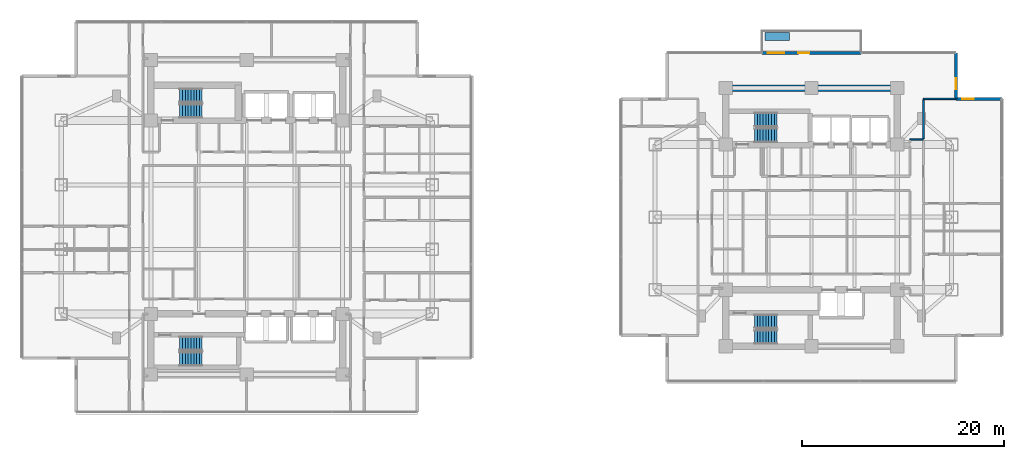
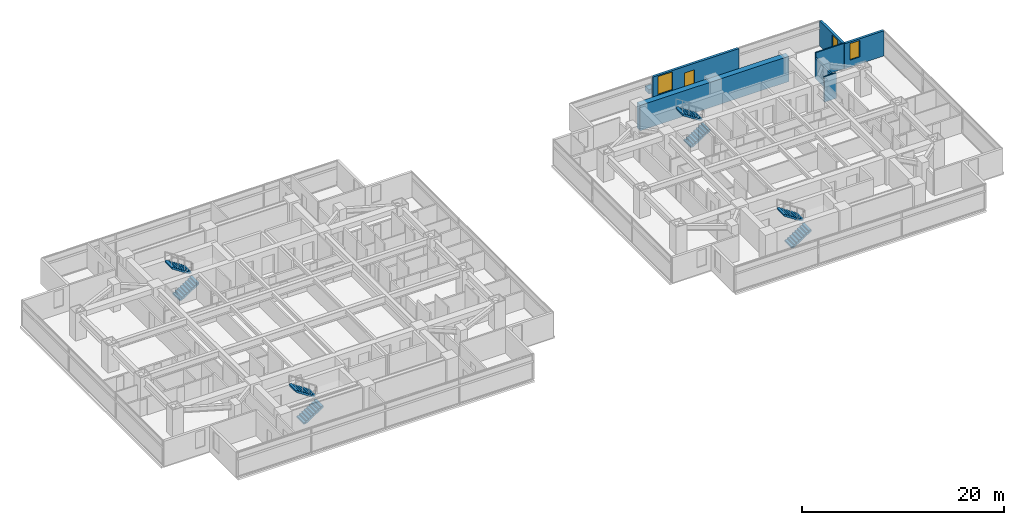
# One storey, part 19 of 24: 8 stair flights, 7 walls, 3 windows, 1 discrete accessory, 1 door, 4 openings, 4 elements without a shape of their own.
"""IFC4 building model written with IfcOpenShell, lengths in metres."""

from ifc_helpers import new_model, si_unit, direction, frame, frame_2d, origin, origin_2d, place, context, subcontext, project, spatial, polyline, rectangle, outline, extrude, material, layer, layer_set, type_object, element, fill, aggregate, save


model = new_model("IFC4")

# Units and contexts
model_context = context("Model", 3, precision=1e-05, world=origin(), true_north=direction((0.0, 1.0)))
body_context = subcontext(model_context, "Body", "Model", "MODEL_VIEW")
ifc_project = project(units=[si_unit("LENGTHUNIT", "METRE"), si_unit("AREAUNIT", "SQUARE_METRE"), si_unit("VOLUMEUNIT", "CUBIC_METRE"), si_unit("PLANEANGLEUNIT", "RADIAN"), si_unit("MASSUNIT", "GRAM", prefix="KILO")], contexts=[model_context])

# Site, building, storey
site_placement = place(None, origin())
site = spatial("IfcSite", under=ifc_project, at=site_placement, CompositionType="ELEMENT")
building_placement = place(site_placement, origin())
building = spatial("IfcBuilding", under=site, at=building_placement, Name="Mirazonda Arch Towers", CompositionType="ELEMENT")
storey_placement = place(building_placement, frame((0.0, 0.0, 71.89990234375)))
storey = spatial("IfcBuildingStorey", under=building, at=storey_placement, Name="L20", CompositionType="ELEMENT", Elevation=71.89990234375)

# Wall
ifc_material_1 = material(Name="Concrete C60/75", Category="concrete")
ifc_layer_1 = layer(ifc_material_1, 0.64990234375, Name="WALL-CORE-650")
ifc_layer_set_1 = layer_set([ifc_layer_1], Name="Concrete C60/75")
wall_type_1 = type_object("IfcWallType", Name="WALL-CORE-650", PredefinedType="SHEAR", material=ifc_layer_set_1)
wall_1_placement = place(storey_placement, frame((68.0, 40.800048828125, 0.0), z_axis=(0.0, 0.0, 1.0), x_axis=(1.0, 0.0, 0.0)))
element("IfcWall", 1, at=wall_1_placement, inside=storey, type_object=wall_type_1, Name="L20 T2N-N Core Shear Wall", PredefinedType="SHEAR", context=body_context, shape_type="SweptSolid", body=[
    extrude(rectangle(XDim=17.0, YDim=0.64990234375, at=frame_2d((8.5, 0.0))), origin(), (0.0, 0.0, 1.0), 3.06005859375),
])

# Wall, openings, door, window
ifc_material_2 = material(Name="Precast Concrete C40/50", Category="concrete")
ifc_layer_2 = layer(ifc_material_2, 0.280029296875, Name="WALL-EXT-WALL-280")
ifc_layer_set_2 = layer_set([ifc_layer_2], Name="Precast Concrete C40/50")
wall_type_2 = type_object("IfcWallType", Name="WALL-EXT-WALL-280", PredefinedType="SOLIDWALL", material=ifc_layer_set_2)
wall_2_placement = place(storey_placement, frame((71.60009765625, 44.27587890625, 0.0), z_axis=(0.0, 0.0, 1.0), x_axis=(1.0, 0.0, 0.0)))
wall_2 = element("IfcWall", 2, at=wall_2_placement, inside=storey, type_object=wall_type_2, Name="L20 T2 Sky-Terrace Threshold Wall WL-TERR-L20-T2", PredefinedType="SOLIDWALL", context=body_context, shape_type="SweptSolid", body=[
    extrude(rectangle(XDim=9.7998046875, YDim=0.280029296875, at=frame_2d((4.89990234375, 0.0))), origin(), (0.0, 0.0, 1.0), 3.02001953125),
])
opening_1_placement = place(wall_2_placement, frame((0.550048828125, 0.0, 0.669921875)))
opening_1 = element("IfcOpeningElement", 3, at=opening_1_placement, cuts=wall_2, Name="Opening WN-115", PredefinedType="OPENING", context=body_context, shape_type="SweptSolid", body=[
    extrude(rectangle(XDim=1.64990234375, YDim=2.199951171875, at=frame_2d((0.824951171875, 1.10009765625))), frame((0.0, 0.14990234375, 0.0), z_axis=(0.0, -1.0, 0.0), x_axis=(1.0, 0.0, 0.0)), (0.0, 0.0, 1.0), 0.300048828125),
])
opening_2_placement = place(wall_2_placement, frame((3.60009765625, 0.0, 0.0)))
opening_2 = element("IfcOpeningElement", 4, at=opening_2_placement, cuts=wall_2, Name="Opening DR-114", PredefinedType="OPENING", context=body_context, shape_type="SweptSolid", body=[
    extrude(rectangle(XDim=1.10009765625, YDim=2.25, at=frame_2d((0.550048828125, 1.125))), frame((0.0, 0.14990234375, 0.0), z_axis=(0.0, -1.0, 0.0), x_axis=(1.0, 0.0, 0.0)), (0.0, 0.0, 1.0), 0.300048828125),
])
ifc_material_3 = material(Name="Architectural Hardwood Timber", Category="wood")
door_type = type_object("IfcDoorType", Name="DOOR-TERR-EXT-1100", OperationType="NOTDEFINED", PredefinedType="DOOR", material=ifc_material_3)
door_placement = place(opening_2_placement, origin())
door = element("IfcDoor", 5, at=door_placement, inside=storey, type_object=door_type, Name="L20 Exterior Door DR-TERR-L20-T2", OperationType="SINGLE_SWING_LEFT", OverallHeight=2.25, OverallWidth=1.10009765625, PredefinedType="DOOR", context=body_context, shape_type="SweptSolid", body=[
    extrude(rectangle(XDim=1.10009765625, YDim=2.25, at=frame_2d((0.550048828125, 1.125))), frame((0.0, 0.02490234375, 0.0), z_axis=(0.0, -1.0, 0.0), x_axis=(1.0, 0.0, 0.0)), (0.0, 0.0, 1.0), 0.050048828125),
])
fill(opening_2, door)
ifc_material_4 = material(Name="Insulated Low-E Solar Glass", Category="glass")
window_type_1 = type_object("IfcWindowType", Name="WIN-RES-1650x2200", PartitioningType="SINGLE_PANEL", PredefinedType="WINDOW", material=ifc_material_4)
window_1_placement = place(opening_1_placement, origin())
window_1 = element("IfcWindow", 6, at=window_1_placement, inside=storey, type_object=window_type_1, Name="L20 Punched Facade Window WN-TERR-L20-T2", OverallHeight=2.199951171875, OverallWidth=1.64990234375, PartitioningType="SINGLE_PANEL", PredefinedType="WINDOW", context=body_context, shape_type="SweptSolid", body=[
    extrude(rectangle(XDim=1.64990234375, YDim=2.199951171875, at=frame_2d((0.824951171875, 1.10009765625))), frame((0.0, 0.030029296875, 0.0), z_axis=(0.0, -1.0, 0.0), x_axis=(1.0, 0.0, 0.0)), (0.0, 0.0, 1.0), 0.06005859375),
])
fill(opening_1, window_1)

# Wall, opening, window
wall_3_placement = place(storey_placement, frame((90.822021484375, 39.729736328125, 0.0), z_axis=(0.0, 0.0, 1.0), x_axis=(0.0, 1.0, 0.0)))
wall_3 = element("IfcWall", 7, at=wall_3_placement, inside=storey, type_object=wall_type_2, Name="L20 T2 Notched NE Corner Wall WL-L20-T2-CNE", PredefinedType="SOLIDWALL", context=body_context, shape_type="SweptSolid", body=[
    extrude(rectangle(XDim=4.546142578125, YDim=0.280029296875, at=frame_2d((2.27294921875, 0.0))), origin(), (0.0, 0.0, 1.0), 3.0400390625),
])
opening_3_placement = place(wall_3_placement, frame((0.949951171875, 0.0, 0.85009765625)))
opening_3 = element("IfcOpeningElement", 8, at=opening_3_placement, cuts=wall_3, Name="Opening WN-108", PredefinedType="OPENING", context=body_context, shape_type="SweptSolid", body=[
    extrude(rectangle(XDim=1.10009765625, YDim=2.0, at=frame_2d((0.550048828125, 1.0))), frame((0.0, 0.14990234375, 0.0), z_axis=(0.0, -1.0, 0.0), x_axis=(1.0, 0.0, 0.0)), (0.0, 0.0, 1.0), 0.300048828125),
])
window_type_2 = type_object("IfcWindowType", Name="WIN-NOTCH-1100x2000", PartitioningType="SINGLE_PANEL", PredefinedType="WINDOW", material=ifc_material_4)
window_2_placement = place(opening_3_placement, origin())
window_2 = element("IfcWindow", 9, at=window_2_placement, inside=storey, type_object=window_type_2, Name="L20 Punched Facade Window WN-L20-T2-CNE", OverallHeight=2.0, OverallWidth=1.10009765625, PartitioningType="SINGLE_PANEL", PredefinedType="WINDOW", context=body_context, shape_type="SweptSolid", body=[
    extrude(rectangle(XDim=1.10009765625, YDim=2.0, at=frame_2d((0.550048828125, 1.0))), frame((0.0, 0.030029296875, 0.0), z_axis=(0.0, -1.0, 0.0), x_axis=(1.0, 0.0, 0.0)), (0.0, 0.0, 1.0), 0.06005859375),
])
fill(opening_3, window_2)

wall_4_placement = place(storey_placement, frame((95.367919921875, 39.729736328125, 0.0), z_axis=(0.0, 0.0, 1.0), x_axis=(-1.0, 0.0, 0.0)))
wall_4 = element("IfcWall", 10, at=wall_4_placement, inside=storey, type_object=wall_type_2, Name="L20 T2 Corner Notch Return Wall WL-L20-T2-CNE2", PredefinedType="SOLIDWALL", context=body_context, shape_type="SweptSolid", body=[
    extrude(rectangle(XDim=4.5458984375, YDim=0.280029296875, at=frame_2d((2.27294921875, 0.0))), origin(), (0.0, 0.0, 1.0), 3.0400390625),
])
opening_4_placement = place(wall_4_placement, frame((2.7958984375, 0.0, 0.85009765625)))
opening_4 = element("IfcOpeningElement", 11, at=opening_4_placement, cuts=wall_4, Name="Opening WN-108", PredefinedType="OPENING", context=body_context, shape_type="SweptSolid", body=[
    extrude(rectangle(XDim=1.10009765625, YDim=2.0, at=frame_2d((0.550048828125, 1.0))), frame((0.0, 0.14990234375, 0.0), z_axis=(0.0, -1.0, 0.0), x_axis=(1.0, 0.0, 0.0)), (0.0, 0.0, 1.0), 0.300048828125),
])
window_3_placement = place(opening_4_placement, origin())
window_3 = element("IfcWindow", 12, at=window_3_placement, inside=storey, type_object=window_type_2, Name="L20 Punched Facade Window WN-L20-T2-CNE2", OverallHeight=2.0, OverallWidth=1.10009765625, PartitioningType="SINGLE_PANEL", PredefinedType="WINDOW", context=body_context, shape_type="SweptSolid", body=[
    extrude(rectangle(XDim=1.10009765625, YDim=2.0, at=frame_2d((0.550048828125, 1.0))), frame((0.0, 0.030029296875, 0.0), z_axis=(0.0, -1.0, 0.0), x_axis=(1.0, 0.0, 0.0)), (0.0, 0.0, 1.0), 0.06005859375),
])
fill(opening_4, window_3)

# Walls
ifc_material_5 = material(Name="Fire-Rated Gypsum Stud Partition")
ifc_layer_3 = layer(ifc_material_5, 0.14990234375, Name="WALL-PART-CORR-150")
ifc_layer_set_3 = layer_set([ifc_layer_3], Name="Fire-Rated Gypsum Stud Partition")
wall_type_3 = type_object("IfcWallType", Name="WALL-PART-CORR-150", PredefinedType="PARTITIONING", material=ifc_layer_set_3)
wall_5_placement = place(storey_placement, frame((86.25, 35.699951171875, 0.0), z_axis=(0.0, 0.0, 1.0), x_axis=(1.0, 0.0, 0.0)))
element("IfcWall", 13, at=wall_5_placement, inside=storey, type_object=wall_type_3, Name="L20 Interior Partition 044", PredefinedType="PARTITIONING", context=body_context, shape_type="SweptSolid", body=[
    extrude(rectangle(XDim=1.35009765625, YDim=0.14990234375, at=frame_2d((0.675048828125, 0.0))), origin(), (0.0, 0.0, 1.0), 3.06005859375),
])
wall_6_placement = place(storey_placement, frame((87.60009765625, 39.72998046875, 0.0), z_axis=(0.0, 0.0, 1.0), x_axis=(1.0, 0.0, 0.0)))
element("IfcWall", 14, at=wall_6_placement, inside=storey, type_object=wall_type_3, Name="L20 Interior Partition 051", PredefinedType="PARTITIONING", context=body_context, shape_type="SweptSolid", body=[
    extrude(rectangle(XDim=3.201904296875, YDim=0.14990234375, at=frame_2d((1.60107421875, 0.0))), origin(), (0.0, 0.0, 1.0), 3.06005859375),
])
ifc_material_6 = material(Name="Fire-Rated Gypsum Twin-Stud Assembly")
ifc_layer_4 = layer(ifc_material_6, 0.179931640625, Name="WALL-PART-DEMISE-180")
ifc_layer_set_4 = layer_set([ifc_layer_4], Name="Fire-Rated Gypsum Twin-Stud Assembly")
wall_type_4 = type_object("IfcWallType", Name="WALL-PART-DEMISE-180", PredefinedType="PARTITIONING", material=ifc_layer_set_4)
wall_7_placement = place(storey_placement, frame((87.60009765625, 35.784912109375, 0.0), z_axis=(0.0, 0.0, 1.0), x_axis=(0.0, 1.0, 0.0)))
element("IfcWall", 15, at=wall_7_placement, inside=storey, type_object=wall_type_4, Name="L20 Interior Partition 157", PredefinedType="PARTITIONING", context=body_context, shape_type="SweptSolid", body=[
    extrude(rectangle(XDim=3.860107421875, YDim=0.179931640625, at=frame_2d((1.93017578125, 0.0))), origin(), (0.0, 0.0, 1.0), 2.43603515625),
])

# Stair, stair flights
ifc_material_7 = material(Name="Concrete C40/50", Category="concrete")
stair_type = type_object("IfcStairType", Name="STAIR-CORE-1400", PredefinedType="HALF_TURN_STAIR", material=ifc_material_7)
stair_1_placement = place(storey_placement, origin())
stair_1 = element("IfcStair", 16, at=stair_1_placement, inside=storey, type_object=stair_type, Name="L20 Protected Exit Stair ST-T1N", PredefinedType="HALF_TURN_STAIR")
stair_flight_type = type_object("IfcStairFlightType", Name="FLIGHT-1400", PredefinedType="STRAIGHT", material=ifc_material_7)
stair_flight_1_placement = place(storey_placement, frame((13.85009765625, 38.52001953125, 0.0), z_axis=(0.0, 0.0, 1.0), x_axis=(1.0, 0.0, 0.0)))
stair_flight_1 = element("IfcStairFlight", 17, at=stair_flight_1_placement, type_object=stair_flight_type, Name="ST-T1N flight 1", NumberOfRisers=9, NumberOfTreads=8, PredefinedType="STRAIGHT", RiserHeight=0.183333333, TreadLength=0.28, context=body_context, shape_type="SweptSolid", body=[
    extrude(outline(polyline([(0.0, 0.0), (0.0, 0.183349609375), (0.280029296875, 0.183349609375), (0.280029296875, 0.36669921875), (0.56005859375, 0.36669921875), (0.56005859375, 0.550048828125), (0.840087890625, 0.550048828125), (0.840087890625, 0.7333984375), (1.1201171875, 0.7333984375), (1.1201171875, 0.916748046875), (1.39990234375, 0.916748046875), (1.39990234375, 1.10009765625), (1.679931640625, 1.10009765625), (1.679931640625, 1.283447265625), (1.9599609375, 1.283447265625), (1.9599609375, 1.466552734375), (2.239990234375, 1.466552734375), (2.239990234375, 1.64990234375), (2.239990234375, 1.275634765625), (0.2919921875, 0.0), (0.0, 0.0)])), frame((0.0, 0.699951171875, 0.0), z_axis=(0.0, -1.0, 0.0), x_axis=(1.0, 0.0, 0.0)), (0.0, 0.0, 1.0), 1.39990234375),
])
stair_flight_2_placement = place(storey_placement, frame((16.090087890625, 40.06005859375, 1.650146484375), z_axis=(0.0, 0.0, 1.0), x_axis=(-1.0, 0.0, 0.0)))
stair_flight_2 = element("IfcStairFlight", 18, at=stair_flight_2_placement, type_object=stair_flight_type, Name="ST-T1N flight 2", NumberOfRisers=9, NumberOfTreads=8, PredefinedType="STRAIGHT", RiserHeight=0.183333333, TreadLength=0.28, context=body_context, shape_type="SweptSolid", body=[
    extrude(outline(polyline([(0.0, 0.0), (0.0, 0.183349609375), (0.280029296875, 0.183349609375), (0.280029296875, 0.36669921875), (0.56005859375, 0.36669921875), (0.56005859375, 0.550048828125), (0.840087890625, 0.550048828125), (0.840087890625, 0.7333984375), (1.1201171875, 0.7333984375), (1.1201171875, 0.916748046875), (1.39990234375, 0.916748046875), (1.39990234375, 1.10009765625), (1.679931640625, 1.10009765625), (1.679931640625, 1.283447265625), (1.9599609375, 1.283447265625), (1.9599609375, 1.466552734375), (2.239990234375, 1.466552734375), (2.239990234375, 1.64990234375), (2.239990234375, 1.275634765625), (0.2919921875, 0.0), (0.0, 0.0)])), frame((0.0, 0.699951171875, 0.0), z_axis=(0.0, -1.0, 0.0), x_axis=(1.0, 0.0, 0.0)), (0.0, 0.0, 1.0), 1.39990234375),
])
aggregate(stair_1, [stair_flight_1, stair_flight_2])

stair_2_placement = place(storey_placement, origin())
stair_2 = element("IfcStair", 19, at=stair_2_placement, inside=storey, type_object=stair_type, Name="L20 Protected Exit Stair ST-T1S", PredefinedType="HALF_TURN_STAIR")
stair_flight_3_placement = place(storey_placement, frame((13.85009765625, 13.949951171875, 0.0), z_axis=(0.0, 0.0, 1.0), x_axis=(1.0, 0.0, 0.0)))
stair_flight_3 = element("IfcStairFlight", 20, at=stair_flight_3_placement, type_object=stair_flight_type, Name="ST-T1S flight 1", NumberOfRisers=9, NumberOfTreads=8, PredefinedType="STRAIGHT", RiserHeight=0.183333333, TreadLength=0.28, context=body_context, shape_type="SweptSolid", body=[
    extrude(outline(polyline([(0.0, 0.0), (0.0, 0.183349609375), (0.280029296875, 0.183349609375), (0.280029296875, 0.36669921875), (0.56005859375, 0.36669921875), (0.56005859375, 0.550048828125), (0.840087890625, 0.550048828125), (0.840087890625, 0.7333984375), (1.1201171875, 0.7333984375), (1.1201171875, 0.916748046875), (1.39990234375, 0.916748046875), (1.39990234375, 1.10009765625), (1.679931640625, 1.10009765625), (1.679931640625, 1.283447265625), (1.9599609375, 1.283447265625), (1.9599609375, 1.466552734375), (2.239990234375, 1.466552734375), (2.239990234375, 1.64990234375), (2.239990234375, 1.275634765625), (0.2919921875, 0.0), (0.0, 0.0)])), frame((0.0, 0.699951171875, 0.0), z_axis=(0.0, -1.0, 0.0), x_axis=(1.0, 0.0, 0.0)), (0.0, 0.0, 1.0), 1.39990234375),
])
stair_flight_4_placement = place(storey_placement, frame((16.090087890625, 15.489990234375, 1.650146484375), z_axis=(0.0, 0.0, 1.0), x_axis=(-1.0, 0.0, 0.0)))
stair_flight_4 = element("IfcStairFlight", 21, at=stair_flight_4_placement, type_object=stair_flight_type, Name="ST-T1S flight 2", NumberOfRisers=9, NumberOfTreads=8, PredefinedType="STRAIGHT", RiserHeight=0.183333333, TreadLength=0.28, context=body_context, shape_type="SweptSolid", body=[
    extrude(outline(polyline([(0.0, 0.0), (0.0, 0.183349609375), (0.280029296875, 0.183349609375), (0.280029296875, 0.36669921875), (0.56005859375, 0.36669921875), (0.56005859375, 0.550048828125), (0.840087890625, 0.550048828125), (0.840087890625, 0.7333984375), (1.1201171875, 0.7333984375), (1.1201171875, 0.916748046875), (1.39990234375, 0.916748046875), (1.39990234375, 1.10009765625), (1.679931640625, 1.10009765625), (1.679931640625, 1.283447265625), (1.9599609375, 1.283447265625), (1.9599609375, 1.466552734375), (2.239990234375, 1.466552734375), (2.239990234375, 1.64990234375), (2.239990234375, 1.275634765625), (0.2919921875, 0.0), (0.0, 0.0)])), frame((0.0, 0.699951171875, 0.0), z_axis=(0.0, -1.0, 0.0), x_axis=(1.0, 0.0, 0.0)), (0.0, 0.0, 1.0), 1.39990234375),
])
aggregate(stair_2, [stair_flight_3, stair_flight_4])

stair_3_placement = place(storey_placement, origin())
stair_3 = element("IfcStair", 22, at=stair_3_placement, inside=storey, type_object=stair_type, Name="L20 Protected Exit Stair ST-T2N", PredefinedType="HALF_TURN_STAIR")
stair_flight_5_placement = place(storey_placement, frame((70.85009765625, 36.1201171875, 0.0), z_axis=(0.0, 0.0, 1.0), x_axis=(1.0, 0.0, 0.0)))
stair_flight_5 = element("IfcStairFlight", 23, at=stair_flight_5_placement, type_object=stair_flight_type, Name="ST-T2N flight 1", NumberOfRisers=9, NumberOfTreads=8, PredefinedType="STRAIGHT", RiserHeight=0.183333333, TreadLength=0.28, context=body_context, shape_type="SweptSolid", body=[
    extrude(outline(polyline([(0.0, 0.0), (0.0, 0.183349609375), (0.280029296875, 0.183349609375), (0.280029296875, 0.36669921875), (0.56005859375, 0.36669921875), (0.56005859375, 0.550048828125), (0.840087890625, 0.550048828125), (0.840087890625, 0.7333984375), (1.1201171875, 0.7333984375), (1.1201171875, 0.916748046875), (1.39990234375, 0.916748046875), (1.39990234375, 1.10009765625), (1.679931640625, 1.10009765625), (1.679931640625, 1.283447265625), (1.9599609375, 1.283447265625), (1.9599609375, 1.466552734375), (2.239990234375, 1.466552734375), (2.239990234375, 1.64990234375), (2.239990234375, 1.275634765625), (0.2919921875, 0.0), (0.0, 0.0)])), frame((0.0, 0.699951171875, 0.0), z_axis=(0.0, -1.0, 0.0), x_axis=(1.0, 0.0, 0.0)), (0.0, 0.0, 1.0), 1.39990234375),
])
stair_flight_6_placement = place(storey_placement, frame((73.090087890625, 37.659912109375, 1.650146484375), z_axis=(0.0, 0.0, 1.0), x_axis=(-1.0, 0.0, 0.0)))
stair_flight_6 = element("IfcStairFlight", 24, at=stair_flight_6_placement, type_object=stair_flight_type, Name="ST-T2N flight 2", NumberOfRisers=9, NumberOfTreads=8, PredefinedType="STRAIGHT", RiserHeight=0.183333333, TreadLength=0.28, context=body_context, shape_type="SweptSolid", body=[
    extrude(outline(polyline([(0.0, 0.0), (0.0, 0.183349609375), (0.280029296875, 0.183349609375), (0.280029296875, 0.36669921875), (0.56005859375, 0.36669921875), (0.56005859375, 0.550048828125), (0.840087890625, 0.550048828125), (0.840087890625, 0.7333984375), (1.1201171875, 0.7333984375), (1.1201171875, 0.916748046875), (1.39990234375, 0.916748046875), (1.39990234375, 1.10009765625), (1.679931640625, 1.10009765625), (1.679931640625, 1.283447265625), (1.9599609375, 1.283447265625), (1.9599609375, 1.466552734375), (2.239990234375, 1.466552734375), (2.239990234375, 1.64990234375), (2.239990234375, 1.275634765625), (0.2919921875, 0.0), (0.0, 0.0)])), frame((0.0, 0.699951171875, 0.0), z_axis=(0.0, -1.0, 0.0), x_axis=(1.0, 0.0, 0.0)), (0.0, 0.0, 1.0), 1.39990234375),
])
aggregate(stair_3, [stair_flight_5, stair_flight_6])

stair_4_placement = place(storey_placement, origin())
stair_4 = element("IfcStair", 25, at=stair_4_placement, inside=storey, type_object=stair_type, Name="L20 Protected Exit Stair ST-T2S", PredefinedType="HALF_TURN_STAIR")
stair_flight_7_placement = place(storey_placement, frame((70.85009765625, 16.1201171875, 0.0), z_axis=(0.0, 0.0, 1.0), x_axis=(1.0, 0.0, 0.0)))
stair_flight_7 = element("IfcStairFlight", 26, at=stair_flight_7_placement, type_object=stair_flight_type, Name="ST-T2S flight 1", NumberOfRisers=9, NumberOfTreads=8, PredefinedType="STRAIGHT", RiserHeight=0.183333333, TreadLength=0.28, context=body_context, shape_type="SweptSolid", body=[
    extrude(outline(polyline([(0.0, 0.0), (0.0, 0.183349609375), (0.280029296875, 0.183349609375), (0.280029296875, 0.36669921875), (0.56005859375, 0.36669921875), (0.56005859375, 0.550048828125), (0.840087890625, 0.550048828125), (0.840087890625, 0.7333984375), (1.1201171875, 0.7333984375), (1.1201171875, 0.916748046875), (1.39990234375, 0.916748046875), (1.39990234375, 1.10009765625), (1.679931640625, 1.10009765625), (1.679931640625, 1.283447265625), (1.9599609375, 1.283447265625), (1.9599609375, 1.466552734375), (2.239990234375, 1.466552734375), (2.239990234375, 1.64990234375), (2.239990234375, 1.275634765625), (0.2919921875, 0.0), (0.0, 0.0)])), frame((0.0, 0.699951171875, 0.0), z_axis=(0.0, -1.0, 0.0), x_axis=(1.0, 0.0, 0.0)), (0.0, 0.0, 1.0), 1.39990234375),
])
stair_flight_8_placement = place(storey_placement, frame((73.090087890625, 17.659912109375, 1.650146484375), z_axis=(0.0, 0.0, 1.0), x_axis=(-1.0, 0.0, 0.0)))
stair_flight_8 = element("IfcStairFlight", 27, at=stair_flight_8_placement, type_object=stair_flight_type, Name="ST-T2S flight 2", NumberOfRisers=9, NumberOfTreads=8, PredefinedType="STRAIGHT", RiserHeight=0.183333333, TreadLength=0.28, context=body_context, shape_type="SweptSolid", body=[
    extrude(outline(polyline([(0.0, 0.0), (0.0, 0.183349609375), (0.280029296875, 0.183349609375), (0.280029296875, 0.36669921875), (0.56005859375, 0.36669921875), (0.56005859375, 0.550048828125), (0.840087890625, 0.550048828125), (0.840087890625, 0.7333984375), (1.1201171875, 0.7333984375), (1.1201171875, 0.916748046875), (1.39990234375, 0.916748046875), (1.39990234375, 1.10009765625), (1.679931640625, 1.10009765625), (1.679931640625, 1.283447265625), (1.9599609375, 1.283447265625), (1.9599609375, 1.466552734375), (2.239990234375, 1.466552734375), (2.239990234375, 1.64990234375), (2.239990234375, 1.275634765625), (0.2919921875, 0.0), (0.0, 0.0)])), frame((0.0, 0.699951171875, 0.0), z_axis=(0.0, -1.0, 0.0), x_axis=(1.0, 0.0, 0.0)), (0.0, 0.0, 1.0), 1.39990234375),
])
aggregate(stair_4, [stair_flight_7, stair_flight_8])

# Discrete accessory
ifc_material_8 = material(Name="Kiln-Fired Architectural Terracotta", Category="masonry")
discrete_accessory_type = type_object("IfcDiscreteAccessoryType", Name="PLANTER-TERRA", PredefinedType="USERDEFINED", material=ifc_material_8)
discrete_accessory_placement = place(storey_placement, frame((73.10009765625, 45.895751953125, 0.0), z_axis=(0.0, 0.0, 1.0), x_axis=(1.0, 0.0, 0.0)))
element("IfcDiscreteAccessory", 28, at=discrete_accessory_placement, inside=storey, type_object=discrete_accessory_type, Name="L20 T2 Sky-Terrace Planter", ObjectType="PLANTER", PredefinedType="USERDEFINED", context=body_context, shape_type="SweptSolid", body=[
    extrude(rectangle(XDim=2.39990234375, YDim=0.800048828125, at=origin_2d()), origin(), (0.0, 0.0, 1.0), 0.550048828125),
])

save(model, "model.ifc")
